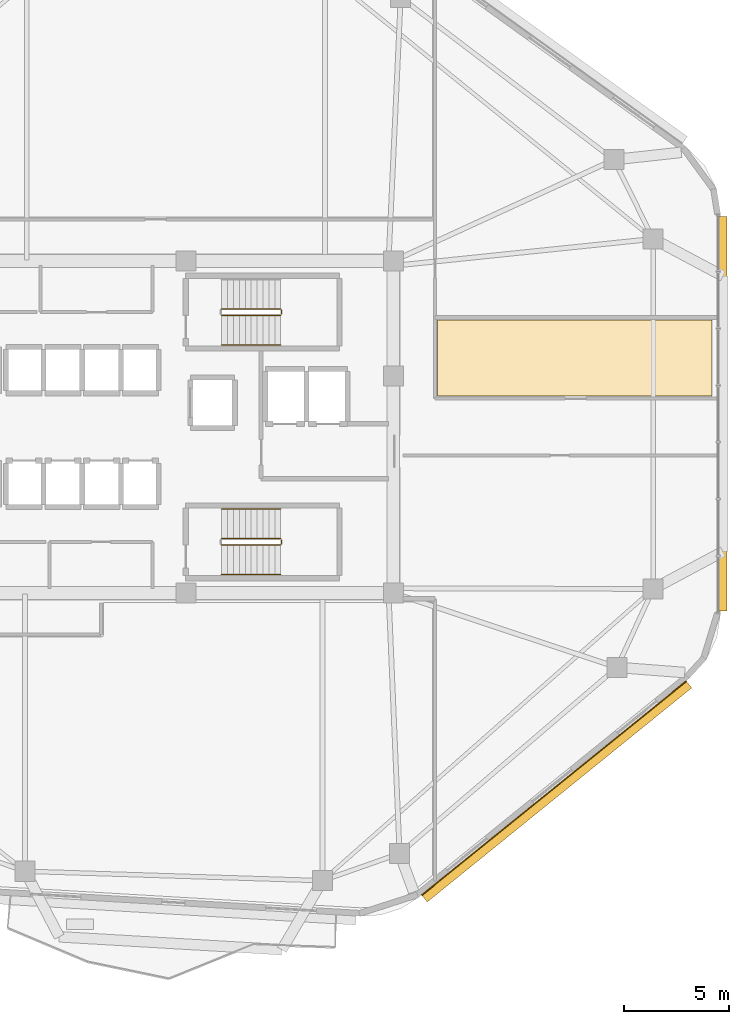
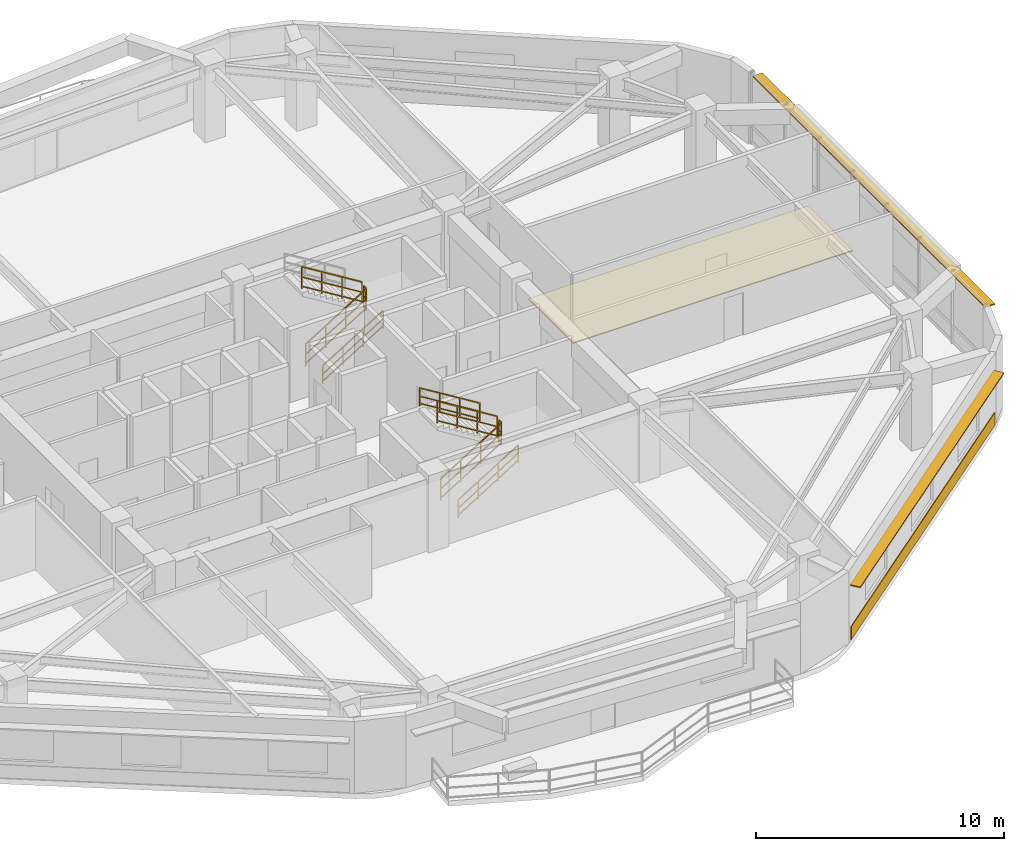
# One storey, part 13 of 14: 9 railings, 2 coverings, 2 shading devices.
"""IFC4 building model written with IfcOpenShell, lengths in metres."""

from ifc_helpers import new_model, si_unit, direction, frame, origin, origin_2d, place, context, subcontext, project, spatial, polyline, rectangle, outline, extrude, material, layer, layer_set, type_object, element, save


model = new_model("IFC4")

# Units and contexts
model_context = context("Model", 3, precision=1e-05, world=origin(), true_north=direction((0.0, 1.0)))
body_context = subcontext(model_context, "Body", "Model", "MODEL_VIEW")
ifc_project = project(units=[si_unit("LENGTHUNIT", "METRE"), si_unit("AREAUNIT", "SQUARE_METRE"), si_unit("VOLUMEUNIT", "CUBIC_METRE"), si_unit("PLANEANGLEUNIT", "RADIAN"), si_unit("MASSUNIT", "GRAM", prefix="KILO")], contexts=[model_context])

# Site, building, storey
site_placement = place(None, origin())
site = spatial("IfcSite", under=ifc_project, at=site_placement, CompositionType="ELEMENT")
building_placement = place(site_placement, origin())
building = spatial("IfcBuilding", under=site, at=building_placement, Name="Zulverin Broadcast Headquarters", CompositionType="ELEMENT")
storey_placement = place(building_placement, frame((0.0, 0.0, 201.0)))
storey = spatial("IfcBuildingStorey", under=building, at=storey_placement, Name="L51", CompositionType="ELEMENT", Elevation=201.0)

# Coverings
ifc_material_1 = material(Name="Brushed pale-aluminium rainscreen cladding", Category="aluminium")
ifc_layer_1 = layer(ifc_material_1, 0.0400390625, Name="Brushed pale-aluminium rainscreen cladding", Category="aluminium")
ifc_layer_set_1 = layer_set([ifc_layer_1], Name="Brushed pale-aluminium rainscreen cladding")
covering_type_1 = type_object("IfcCoveringType", Name="COV-CLAD-PALE", PredefinedType="CLADDING", material=ifc_layer_set_1)
covering_1_placement = place(storey_placement, frame((55.894775390625, 8.0703125, 0.054931640625), z_axis=(0.0, 0.0, 1.0), x_axis=(0.777274454694, 0.629161681987, 0.0)))
element("IfcCovering", 1, at=covering_1_placement, inside=storey, type_object=covering_type_1, Name="L51 Brushed Pale-Aluminium Spandrel Cladding 2", PredefinedType="CLADDING", context=body_context, shape_type="SweptSolid", body=[
    extrude(rectangle(XDim=16.139892578125, YDim=0.0400390625, at=origin_2d()), origin(), (0.0, 0.0, 1.0), 0.64990234375),
])
ifc_material_2 = material(Name="Anti-static broadcast raised access flooring", Category="stone")
ifc_layer_2 = layer(ifc_material_2, 0.050048828125, Name="Anti-static broadcast raised access flooring", Category="stone")
ifc_layer_set_2 = layer_set([ifc_layer_2], Name="Anti-static broadcast raised access flooring")
covering_type_2 = type_object("IfcCoveringType", Name="COV-FLR-RAISED", PredefinedType="FLOORING", material=ifc_layer_set_2)
covering_2_placement = place(storey_placement, origin())
element("IfcCovering", 2, at=covering_2_placement, inside=storey, type_object=covering_type_2, Name="L51 Broadcast Raised Access Flooring 02", PredefinedType="FLOORING", context=body_context, shape_type="SweptSolid", body=[
    extrude(outline(polyline([(50.3720703125, 26.672119140625), (63.39990234375, 26.672119140625), (63.39990234375, 30.280029296875), (50.3720703125, 30.280029296875), (50.3720703125, 26.672119140625)])), origin(), (0.0, 0.0, 1.0), 0.050048828125),
])

# Railings
ifc_material_3 = material(Name="Painted galvanized steel tubular guardrail S355JR", Category="steel")
railing_type_1 = type_object("IfcRailingType", Name="RL-ST-GUARD", PredefinedType="GUARDRAIL", material=ifc_material_3)
railing_1_placement = place(storey_placement, frame((40.1298828125, 30.5, 0.172607421875)))
element("IfcRailing", 3, at=railing_1_placement, inside=storey, type_object=railing_type_1, Name="L51 ST-1 stair guard 1", PredefinedType="GUARDRAIL", context=body_context, shape_type="SweptSolid", body=[
    extrude(rectangle(XDim=0.048095703125, YDim=0.048095703125, at=origin_2d()), frame((0.0, 0.0, 1.076171875), z_axis=(0.851089632645, 0.0, 0.525020415988), x_axis=(0.0, 1.0, 0.0)), (0.0, 0.0, 1.0), 3.2900390625),
    extrude(rectangle(XDim=0.0419921875, YDim=0.0419921875, at=origin_2d()), frame((0.0, 0.0, 0.572021484375), z_axis=(0.851089632645, 0.0, 0.525020415988), x_axis=(0.0, 1.0, 0.0)), (0.0, 0.0, 1.0), 3.2900390625),
    extrude(rectangle(XDim=0.0419921875, YDim=0.0419921875, at=origin_2d()), frame((0.0, 0.0, 0.1201171875), z_axis=(0.851089632645, 0.0, 0.525020415988), x_axis=(0.0, 1.0, 0.0)), (0.0, 0.0, 1.0), 3.2900390625),
    extrude(rectangle(XDim=0.0419921875, YDim=0.0419921875, at=origin_2d()), origin(), (0.0, 0.0, 1.0), 1.052001953125),
    extrude(rectangle(XDim=0.0419921875, YDim=0.0419921875, at=origin_2d()), frame((0.933349609375, 0.0, 0.57568359375)), (0.0, 0.0, 1.0), 1.052001953125),
    extrude(rectangle(XDim=0.0419921875, YDim=0.0419921875, at=origin_2d()), frame((1.86669921875, 0.0, 1.151611328125)), (0.0, 0.0, 1.0), 1.052001953125),
    extrude(rectangle(XDim=0.0419921875, YDim=0.0419921875, at=origin_2d()), frame((2.800048828125, 0.0, 1.727294921875)), (0.0, 0.0, 1.0), 1.052001953125),
])
railing_2_placement = place(storey_placement, frame((42.97998046875, 30.550048828125, 1.89990234375)))
element("IfcRailing", 4, at=railing_2_placement, inside=storey, type_object=railing_type_1, Name="L51 ST-1 stair guard 2", PredefinedType="GUARDRAIL", context=body_context, shape_type="SweptSolid", body=[
    extrude(rectangle(XDim=0.048095703125, YDim=0.048095703125, at=origin_2d()), frame((0.0, 0.0, 1.076171875), z_axis=(0.0, 1.0, 0.0), x_axis=(-1.0, 0.0, 0.0)), (0.0, 0.0, 1.0), 0.199951171875),
    extrude(rectangle(XDim=0.0419921875, YDim=0.0419921875, at=origin_2d()), frame((0.0, 0.0, 0.572021484375), z_axis=(0.0, 1.0, 0.0), x_axis=(-1.0, 0.0, 0.0)), (0.0, 0.0, 1.0), 0.199951171875),
    extrude(rectangle(XDim=0.0419921875, YDim=0.0419921875, at=origin_2d()), frame((0.0, 0.0, 0.1201171875), z_axis=(0.0, 1.0, 0.0), x_axis=(-1.0, 0.0, 0.0)), (0.0, 0.0, 1.0), 0.199951171875),
    extrude(rectangle(XDim=0.0419921875, YDim=0.0419921875, at=origin_2d()), origin(), (0.0, 0.0, 1.0), 1.052001953125),
    extrude(rectangle(XDim=0.0419921875, YDim=0.0419921875, at=origin_2d()), frame((0.0, 0.199951171875, 0.0)), (0.0, 0.0, 1.0), 1.052001953125),
])
railing_3_placement = place(storey_placement, frame((42.929931640625, 30.800048828125, 2.07275390625)))
element("IfcRailing", 5, at=railing_3_placement, inside=storey, type_object=railing_type_1, Name="L51 ST-1 stair guard 3", PredefinedType="GUARDRAIL", context=body_context, shape_type="SweptSolid", body=[
    extrude(rectangle(XDim=0.048095703125, YDim=0.048095703125, at=origin_2d()), frame((0.0, 0.0, 1.076171875), z_axis=(-0.851089632645, 0.0, 0.525020415988), x_axis=(0.0, -1.0, 0.0)), (0.0, 0.0, 1.0), 3.2900390625),
    extrude(rectangle(XDim=0.0419921875, YDim=0.0419921875, at=origin_2d()), frame((0.0, 0.0, 0.572021484375), z_axis=(-0.851089632645, 0.0, 0.525020415988), x_axis=(0.0, -1.0, 0.0)), (0.0, 0.0, 1.0), 3.2900390625),
    extrude(rectangle(XDim=0.0419921875, YDim=0.0419921875, at=origin_2d()), frame((0.0, 0.0, 0.1201171875), z_axis=(-0.851089632645, 0.0, 0.525020415988), x_axis=(0.0, -1.0, 0.0)), (0.0, 0.0, 1.0), 3.2900390625),
    extrude(rectangle(XDim=0.0419921875, YDim=0.0419921875, at=origin_2d()), origin(), (0.0, 0.0, 1.0), 1.052001953125),
    extrude(rectangle(XDim=0.0419921875, YDim=0.0419921875, at=origin_2d()), frame((-0.933349609375, 0.0, 0.57568359375)), (0.0, 0.0, 1.0), 1.052001953125),
    extrude(rectangle(XDim=0.0419921875, YDim=0.0419921875, at=origin_2d()), frame((-1.86669921875, 0.0, 1.151611328125)), (0.0, 0.0, 1.0), 1.052001953125),
    extrude(rectangle(XDim=0.0419921875, YDim=0.0419921875, at=origin_2d()), frame((-2.800048828125, 0.0, 1.727294921875)), (0.0, 0.0, 1.0), 1.052001953125),
])
railing_4_placement = place(storey_placement, frame((40.1298828125, 19.60009765625, 0.172607421875)))
element("IfcRailing", 6, at=railing_4_placement, inside=storey, type_object=railing_type_1, Name="L51 ST-2 stair guard 1", PredefinedType="GUARDRAIL", context=body_context, shape_type="SweptSolid", body=[
    extrude(rectangle(XDim=0.048095703125, YDim=0.048095703125, at=origin_2d()), frame((0.0, 0.0, 1.076171875), z_axis=(0.851089632645, 0.0, 0.525020415988), x_axis=(0.0, 1.0, 0.0)), (0.0, 0.0, 1.0), 3.2900390625),
    extrude(rectangle(XDim=0.0419921875, YDim=0.0419921875, at=origin_2d()), frame((0.0, 0.0, 0.572021484375), z_axis=(0.851089632645, 0.0, 0.525020415988), x_axis=(0.0, 1.0, 0.0)), (0.0, 0.0, 1.0), 3.2900390625),
    extrude(rectangle(XDim=0.0419921875, YDim=0.0419921875, at=origin_2d()), frame((0.0, 0.0, 0.1201171875), z_axis=(0.851089632645, 0.0, 0.525020415988), x_axis=(0.0, 1.0, 0.0)), (0.0, 0.0, 1.0), 3.2900390625),
    extrude(rectangle(XDim=0.0419921875, YDim=0.0419921875, at=origin_2d()), origin(), (0.0, 0.0, 1.0), 1.052001953125),
    extrude(rectangle(XDim=0.0419921875, YDim=0.0419921875, at=origin_2d()), frame((0.933349609375, 0.0, 0.57568359375)), (0.0, 0.0, 1.0), 1.052001953125),
    extrude(rectangle(XDim=0.0419921875, YDim=0.0419921875, at=origin_2d()), frame((1.86669921875, 0.0, 1.151611328125)), (0.0, 0.0, 1.0), 1.052001953125),
    extrude(rectangle(XDim=0.0419921875, YDim=0.0419921875, at=origin_2d()), frame((2.800048828125, 0.0, 1.727294921875)), (0.0, 0.0, 1.0), 1.052001953125),
])
railing_5_placement = place(storey_placement, frame((42.97998046875, 19.64990234375, 1.89990234375)))
element("IfcRailing", 7, at=railing_5_placement, inside=storey, type_object=railing_type_1, Name="L51 ST-2 stair guard 2", PredefinedType="GUARDRAIL", context=body_context, shape_type="SweptSolid", body=[
    extrude(rectangle(XDim=0.048095703125, YDim=0.048095703125, at=origin_2d()), frame((0.0, 0.0, 1.076171875), z_axis=(0.0, 1.0, 0.0), x_axis=(-1.0, 0.0, 0.0)), (0.0, 0.0, 1.0), 0.2001953125),
    extrude(rectangle(XDim=0.0419921875, YDim=0.0419921875, at=origin_2d()), frame((0.0, 0.0, 0.572021484375), z_axis=(0.0, 1.0, 0.0), x_axis=(-1.0, 0.0, 0.0)), (0.0, 0.0, 1.0), 0.2001953125),
    extrude(rectangle(XDim=0.0419921875, YDim=0.0419921875, at=origin_2d()), frame((0.0, 0.0, 0.1201171875), z_axis=(0.0, 1.0, 0.0), x_axis=(-1.0, 0.0, 0.0)), (0.0, 0.0, 1.0), 0.2001953125),
    extrude(rectangle(XDim=0.0419921875, YDim=0.0419921875, at=origin_2d()), origin(), (0.0, 0.0, 1.0), 1.052001953125),
    extrude(rectangle(XDim=0.0419921875, YDim=0.0419921875, at=origin_2d()), frame((0.0, 0.2001953125, 0.0)), (0.0, 0.0, 1.0), 1.052001953125),
])
railing_6_placement = place(storey_placement, frame((42.929931640625, 19.89990234375, 2.07275390625)))
element("IfcRailing", 8, at=railing_6_placement, inside=storey, type_object=railing_type_1, Name="L51 ST-2 stair guard 3", PredefinedType="GUARDRAIL", context=body_context, shape_type="SweptSolid", body=[
    extrude(rectangle(XDim=0.048095703125, YDim=0.048095703125, at=origin_2d()), frame((0.0, 0.0, 1.076171875), z_axis=(-0.851089632645, 0.0, 0.525020415988), x_axis=(0.0, -1.0, 0.0)), (0.0, 0.0, 1.0), 3.2900390625),
    extrude(rectangle(XDim=0.0419921875, YDim=0.0419921875, at=origin_2d()), frame((0.0, 0.0, 0.572021484375), z_axis=(-0.851089632645, 0.0, 0.525020415988), x_axis=(0.0, -1.0, 0.0)), (0.0, 0.0, 1.0), 3.2900390625),
    extrude(rectangle(XDim=0.0419921875, YDim=0.0419921875, at=origin_2d()), frame((0.0, 0.0, 0.1201171875), z_axis=(-0.851089632645, 0.0, 0.525020415988), x_axis=(0.0, -1.0, 0.0)), (0.0, 0.0, 1.0), 3.2900390625),
    extrude(rectangle(XDim=0.0419921875, YDim=0.0419921875, at=origin_2d()), origin(), (0.0, 0.0, 1.0), 1.052001953125),
    extrude(rectangle(XDim=0.0419921875, YDim=0.0419921875, at=origin_2d()), frame((-0.933349609375, 0.0, 0.57568359375)), (0.0, 0.0, 1.0), 1.052001953125),
    extrude(rectangle(XDim=0.0419921875, YDim=0.0419921875, at=origin_2d()), frame((-1.86669921875, 0.0, 1.151611328125)), (0.0, 0.0, 1.0), 1.052001953125),
    extrude(rectangle(XDim=0.0419921875, YDim=0.0419921875, at=origin_2d()), frame((-2.800048828125, 0.0, 1.727294921875)), (0.0, 0.0, 1.0), 1.052001953125),
])
ifc_material_4 = material(Name="Brushed stainless steel 48 mm handrail", Category="steel")
railing_type_2 = type_object("IfcRailingType", Name="RL-ST-HAND", PredefinedType="HANDRAIL", material=ifc_material_4)
for number, where, name in (
    (9, (40.1298828125, 29.10009765625, 0.172607421875), "L51 ST-1 stair handrail 1"),
    (10, (40.1298828125, 18.199951171875, 0.172607421875), "L51 ST-2 stair handrail 1"),
):
    element("IfcRailing", number, at=place(storey_placement, frame(where)), inside=storey, type_object=railing_type_2, Name=name, PredefinedType="HANDRAIL", context=body_context, shape_type="SweptSolid", body=[
        extrude(rectangle(XDim=0.048095703125, YDim=0.048095703125, at=origin_2d()), frame((0.0, 0.0, 0.8759765625), z_axis=(0.851089632645, 0.0, 0.525020415988), x_axis=(0.0, 1.0, 0.0)), (0.0, 0.0, 1.0), 3.2900390625),
        extrude(rectangle(XDim=0.0419921875, YDim=0.0419921875, at=origin_2d()), frame((0.0, 0.0, 0.468017578125), z_axis=(0.851089632645, 0.0, 0.525020415988), x_axis=(0.0, 1.0, 0.0)), (0.0, 0.0, 1.0), 3.2900390625),
        extrude(rectangle(XDim=0.0419921875, YDim=0.0419921875, at=origin_2d()), frame((0.0, 0.0, 0.1201171875), z_axis=(0.851089632645, 0.0, 0.525020415988), x_axis=(0.0, 1.0, 0.0)), (0.0, 0.0, 1.0), 3.2900390625),
        extrude(rectangle(XDim=0.0419921875, YDim=0.0419921875, at=origin_2d()), origin(), (0.0, 0.0, 1.0), 0.851806640625),
        extrude(rectangle(XDim=0.0419921875, YDim=0.0419921875, at=origin_2d()), frame((0.933349609375, 0.0, 0.57568359375)), (0.0, 0.0, 1.0), 0.851806640625),
        extrude(rectangle(XDim=0.0419921875, YDim=0.0419921875, at=origin_2d()), frame((1.86669921875, 0.0, 1.151611328125)), (0.0, 0.0, 1.0), 0.851806640625),
        extrude(rectangle(XDim=0.0419921875, YDim=0.0419921875, at=origin_2d()), frame((2.800048828125, 0.0, 1.727294921875)), (0.0, 0.0, 1.0), 0.851806640625),
    ])
railing_7_placement = place(storey_placement, frame((42.929931640625, 21.300048828125, 2.07275390625)))
element("IfcRailing", 11, at=railing_7_placement, inside=storey, type_object=railing_type_2, Name="L51 ST-2 stair handrail 2", PredefinedType="HANDRAIL", context=body_context, shape_type="SweptSolid", body=[
    extrude(rectangle(XDim=0.048095703125, YDim=0.048095703125, at=origin_2d()), frame((0.0, 0.0, 0.8759765625), z_axis=(-0.851089632645, 0.0, 0.525020415988), x_axis=(0.0, -1.0, 0.0)), (0.0, 0.0, 1.0), 3.2900390625),
    extrude(rectangle(XDim=0.0419921875, YDim=0.0419921875, at=origin_2d()), frame((0.0, 0.0, 0.468017578125), z_axis=(-0.851089632645, 0.0, 0.525020415988), x_axis=(0.0, -1.0, 0.0)), (0.0, 0.0, 1.0), 3.2900390625),
    extrude(rectangle(XDim=0.0419921875, YDim=0.0419921875, at=origin_2d()), frame((0.0, 0.0, 0.1201171875), z_axis=(-0.851089632645, 0.0, 0.525020415988), x_axis=(0.0, -1.0, 0.0)), (0.0, 0.0, 1.0), 3.2900390625),
    extrude(rectangle(XDim=0.0419921875, YDim=0.0419921875, at=origin_2d()), origin(), (0.0, 0.0, 1.0), 0.851806640625),
    extrude(rectangle(XDim=0.0419921875, YDim=0.0419921875, at=origin_2d()), frame((-0.933349609375, 0.0, 0.57568359375)), (0.0, 0.0, 1.0), 0.851806640625),
    extrude(rectangle(XDim=0.0419921875, YDim=0.0419921875, at=origin_2d()), frame((-1.86669921875, 0.0, 1.151611328125)), (0.0, 0.0, 1.0), 0.851806640625),
    extrude(rectangle(XDim=0.0419921875, YDim=0.0419921875, at=origin_2d()), frame((-2.800048828125, 0.0, 1.727294921875)), (0.0, 0.0, 1.0), 0.851806640625),
])

# Shading devices
ifc_material_5 = material(Name="Anodized pale-metal aluminium sunshade", Category="aluminium")
ifc_layer_3 = layer(ifc_material_5, 0.06005859375, Name="Anodized pale-metal aluminium sunshade", Category="aluminium")
ifc_layer_set_3 = layer_set([ifc_layer_3], Name="Anodized pale-metal aluminium sunshade")
shading_device_type = type_object("IfcShadingDeviceType", Name="SS-01_PALE_METAL_ALUMINIUM_SUNSHADE", PredefinedType="USERDEFINED", material=ifc_layer_set_3)
shading_device_1_placement = place(storey_placement, frame((56.014404296875, 7.922607421875, 2.7099609375), z_axis=(0.0, 0.0, 1.0), x_axis=(0.777274454694, 0.629161681987, 0.0)))
element("IfcShadingDevice", 12, at=shading_device_1_placement, inside=storey, type_object=shading_device_type, Name="L51 Horizontal Pale-Metal Sunshade Band 2", ObjectType="SUNSHADE", PredefinedType="USERDEFINED", context=body_context, shape_type="SweptSolid", body=[
    extrude(rectangle(XDim=16.139892578125, YDim=0.449951171875, at=origin_2d()), origin(), (0.0, 0.0, 1.0), 0.06005859375),
])
shading_device_2_placement = place(storey_placement, frame((63.8798828125, 25.828369140625, 3.31005859375), z_axis=(0.0, 0.0, 1.0), x_axis=(0.0, 1.0, 0.0)))
element("IfcShadingDevice", 13, at=shading_device_2_placement, inside=storey, type_object=shading_device_type, Name="L51 Pale-Metal Horizontal Sunshade Band CW-L51-E3", ObjectType="SUNSHADE", PredefinedType="USERDEFINED", context=body_context, shape_type="SweptSolid", body=[
    extrude(rectangle(XDim=18.73583984375, YDim=0.449951171875, at=origin_2d()), origin(), (0.0, 0.0, 1.0), 0.06005859375),
])

save(model, "model.ifc")
